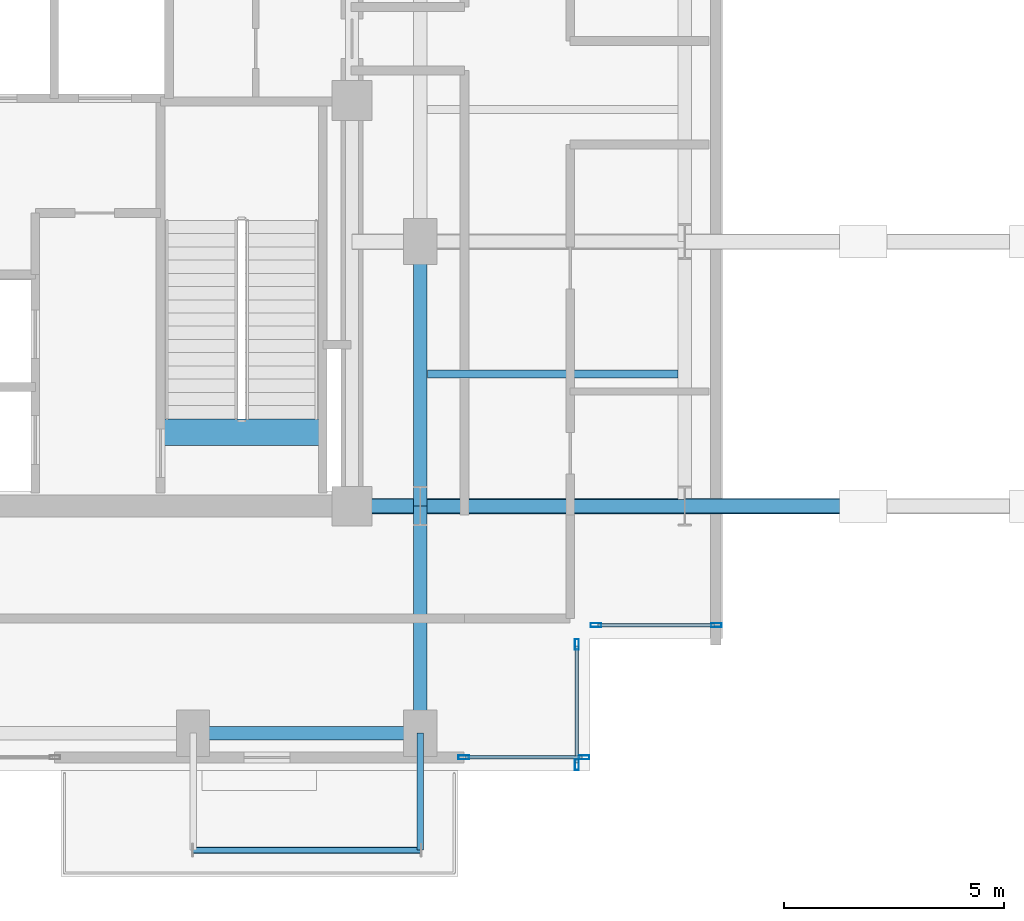
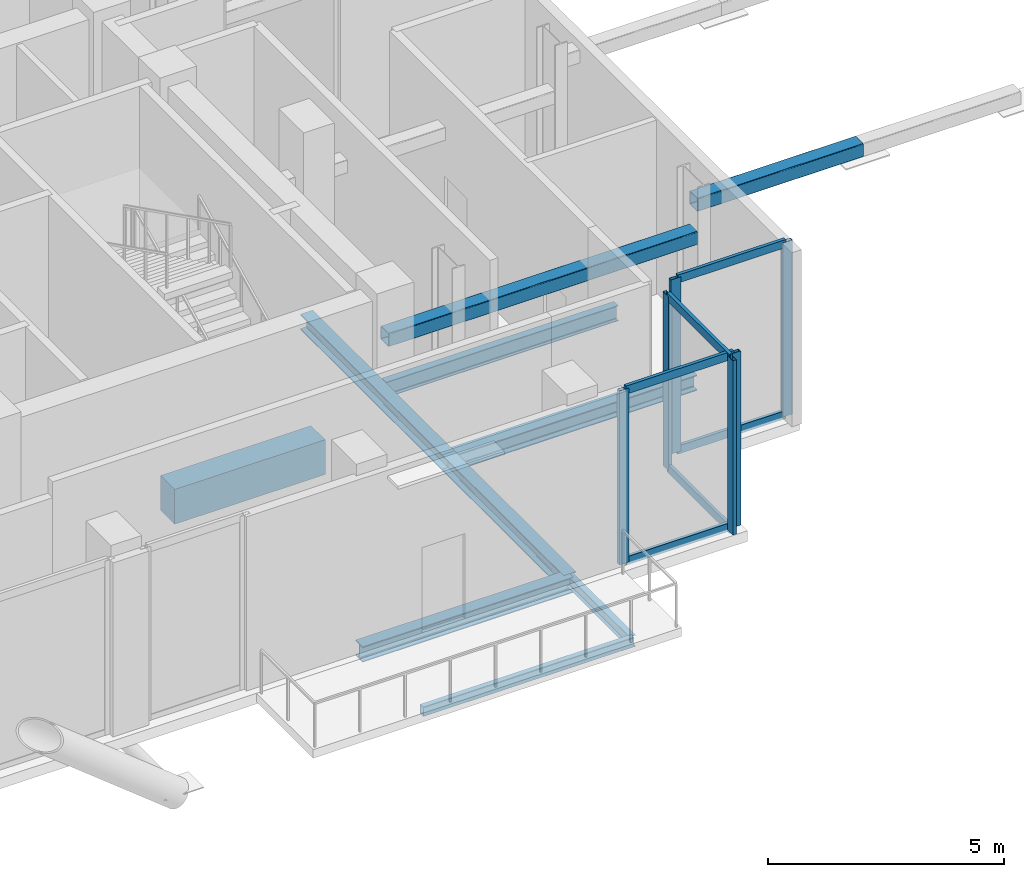
# One storey, part 8 of 22: 14 members, 8 beams, 3 elements without a shape of their own.
"""IFC4 building model written with IfcOpenShell, lengths in metres."""

from ifc_helpers import new_model, si_unit, direction, frame, origin, origin_2d, place, context, subcontext, project, spatial, rectangle, hollow_rectangle, i_section, extrude, material, layer, layer_set, material_profile, profile_set, type_object, element, aggregate, save


model = new_model("IFC4")

# Units and contexts
model_context = context("Model", 3, precision=1e-05, world=origin(), true_north=direction((0.0, 1.0)))
body_context = subcontext(model_context, "Body", "Model", "MODEL_VIEW")
ifc_project = project(units=[si_unit("LENGTHUNIT", "METRE"), si_unit("AREAUNIT", "SQUARE_METRE"), si_unit("VOLUMEUNIT", "CUBIC_METRE"), si_unit("PLANEANGLEUNIT", "RADIAN"), si_unit("MASSUNIT", "GRAM", prefix="KILO"), si_unit("THERMODYNAMICTEMPERATUREUNIT", "KELVIN"), si_unit("POWERUNIT", "WATT")], contexts=[model_context])

# Site, building, storey
site_placement = place(None, origin())
site = spatial("IfcSite", under=ifc_project, at=site_placement, CompositionType="ELEMENT")
building_placement = place(site_placement, origin())
building = spatial("IfcBuilding", under=site, at=building_placement, Name="Svarakhadi Broadcast Tower", CompositionType="ELEMENT")
storey_placement = place(building_placement, frame((0.0, 0.0, 199.199951171875)))
storey = spatial("IfcBuildingStorey", under=building, at=storey_placement, Name="L49", CompositionType="ELEMENT", Elevation=199.199951171875)

# Beam
ifc_material_1 = material(Name="Steel S355J2 (IS 2062 E350C)", Category="steel")
ifc_material_profile_1 = material_profile(ifc_material_1, i_section(OverallWidth=0.179931640625, OverallDepth=0.39990234375, WebThickness=0.008544921875, FlangeThickness=0.013427734375, FilletRadius=0.02099609375, at=origin_2d()), Name="NPB 400x180x66")
ifc_profile_set_1 = profile_set([ifc_material_profile_1], Name="Steel S355J2 (IS 2062 E350C)")
beam_type_1 = type_object("IfcBeamType", Name="Beam_NPB400", PredefinedType="BEAM", material=ifc_profile_set_1)
beam_1_placement = place(storey_placement, frame((35.31005859375, 9.0, -0.474853515625), z_axis=(1.0, 0.0, 0.0), x_axis=(0.0, 1.0, 0.0)))
element("IfcBeam", 1, at=beam_1_placement, inside=storey, type_object=beam_type_1, Name="L49 Secondary Composite Beam SB016", PredefinedType="BEAM", context=body_context, shape_type="SweptSolid", body=[
    extrude(i_section(OverallWidth=0.179931640625, OverallDepth=0.39990234375, WebThickness=0.008544921875, FlangeThickness=0.013427734375, FilletRadius=0.02099609375, at=origin_2d()), origin(), (0.0, 0.0, 1.0), 5.679931640625),
])

# Curtain wall, members
ifc_material_2 = material(Name="Anodised Bronze Aluminium AA 6063-T6", Category="aluminium")
ifc_layer = layer(ifc_material_2, 0.239990234375)
ifc_layer_set = layer_set([ifc_layer], Name="Anodised Bronze Aluminium AA 6063-T6")
curtain_wall_type = type_object("IfcCurtainWallType", Name="CW_Sys_06", PredefinedType="NOTDEFINED", material=ifc_layer_set)
curtain_wall_1_placement = place(storey_placement, origin())
curtain_wall_1 = element("IfcCurtainWall", 2, at=curtain_wall_1_placement, inside=storey, type_object=curtain_wall_type, Name="L49 Unitised Facade Curtain Wall 13", PredefinedType="NOTDEFINED")
ifc_material_profile_2 = material_profile(ifc_material_2, hollow_rectangle(XDim=0.090087890625, YDim=0.239990234375, WallThickness=0.006103515625, at=origin_2d()), Name="ALU MULLION 240x90x6")
ifc_profile_set_2 = profile_set([ifc_material_profile_2], Name="Anodised Bronze Aluminium AA 6063-T6")
member_type_1 = type_object("IfcMemberType", Name="CW_Sys_06_Mul", PredefinedType="MULLION", material=ifc_profile_set_2)
member_1_placement = place(storey_placement, frame((41.864990234375, 3.300048828125, 0.0), z_axis=(0.0, 0.0, 1.0), x_axis=(0.0, -1.0, 0.0)))
member_1 = element("IfcMember", 3, at=member_1_placement, type_object=member_type_1, Name="CW-06 mullion 1", PredefinedType="MULLION", context=body_context, shape_type="SweptSolid", body=[
    extrude(hollow_rectangle(XDim=0.090087890625, YDim=0.239990234375, WallThickness=0.006103515625, at=origin_2d()), origin(), (0.0, 0.0, 1.0), 4.5),
])
member_2_placement = place(storey_placement, frame((39.135009765625, 3.300048828125, 0.0), z_axis=(0.0, 0.0, 1.0), x_axis=(0.0, -1.0, 0.0)))
member_2 = element("IfcMember", 4, at=member_2_placement, type_object=member_type_1, Name="CW-06 mullion 2", PredefinedType="MULLION", context=body_context, shape_type="SweptSolid", body=[
    extrude(hollow_rectangle(XDim=0.090087890625, YDim=0.239990234375, WallThickness=0.006103515625, at=origin_2d()), origin(), (0.0, 0.0, 1.0), 4.5),
])

curtain_wall_2_placement = place(storey_placement, origin())
curtain_wall_2 = element("IfcCurtainWall", 5, at=curtain_wall_2_placement, inside=storey, type_object=curtain_wall_type, Name="L49 Unitised Facade Curtain Wall 14", PredefinedType="NOTDEFINED")
member_3_placement = place(storey_placement, frame((38.699951171875, 2.864990234375, 0.0), z_axis=(0.0, 0.0, 1.0), x_axis=(1.0, 0.0, 0.0)))
member_3 = element("IfcMember", 6, at=member_3_placement, type_object=member_type_1, Name="CW-06 mullion 1", PredefinedType="MULLION", context=body_context, shape_type="SweptSolid", body=[
    extrude(hollow_rectangle(XDim=0.090087890625, YDim=0.239990234375, WallThickness=0.006103515625, at=origin_2d()), origin(), (0.0, 0.0, 1.0), 4.5),
])
member_4_placement = place(storey_placement, frame((38.699951171875, 0.135009765625, 0.0), z_axis=(0.0, 0.0, 1.0), x_axis=(1.0, 0.0, 0.0)))
member_4 = element("IfcMember", 7, at=member_4_placement, type_object=member_type_1, Name="CW-06 mullion 2", PredefinedType="MULLION", context=body_context, shape_type="SweptSolid", body=[
    extrude(hollow_rectangle(XDim=0.090087890625, YDim=0.239990234375, WallThickness=0.006103515625, at=origin_2d()), origin(), (0.0, 0.0, 1.0), 4.5),
])

curtain_wall_3_placement = place(storey_placement, origin())
curtain_wall_3 = element("IfcCurtainWall", 8, at=curtain_wall_3_placement, inside=storey, type_object=curtain_wall_type, Name="L49 South Curtain Wall 15", PredefinedType="NOTDEFINED")
member_5_placement = place(storey_placement, frame((38.864990234375, 0.300048828125, 0.0), z_axis=(0.0, 0.0, 1.0), x_axis=(0.0, -1.0, 0.0)))
member_5 = element("IfcMember", 9, at=member_5_placement, type_object=member_type_1, Name="CW-06 mullion 1", PredefinedType="MULLION", context=body_context, shape_type="SweptSolid", body=[
    extrude(hollow_rectangle(XDim=0.090087890625, YDim=0.239990234375, WallThickness=0.006103515625, at=origin_2d()), origin(), (0.0, 0.0, 1.0), 4.5),
])
member_6_placement = place(storey_placement, frame((36.135009765625, 0.300048828125, 0.0), z_axis=(0.0, 0.0, 1.0), x_axis=(0.0, -1.0, 0.0)))
member_6 = element("IfcMember", 10, at=member_6_placement, type_object=member_type_1, Name="CW-06 mullion 2", PredefinedType="MULLION", context=body_context, shape_type="SweptSolid", body=[
    extrude(hollow_rectangle(XDim=0.090087890625, YDim=0.239990234375, WallThickness=0.006103515625, at=origin_2d()), origin(), (0.0, 0.0, 1.0), 4.5),
])

# Member
ifc_material_profile_3 = material_profile(ifc_material_2, hollow_rectangle(XDim=0.080078125, YDim=0.2099609375, WallThickness=0.0048828125, at=origin_2d()), Name="ALU TRANSOM 210x80x5")
ifc_profile_set_3 = profile_set([ifc_material_profile_3], Name="Anodised Bronze Aluminium AA 6063-T6")
member_type_2 = type_object("IfcMemberType", Name="CW_Sys_06_Trn", PredefinedType="USERDEFINED", material=ifc_profile_set_3)
member_7_placement = place(storey_placement, frame((41.820068359375, 3.300048828125, 0.0400390625), z_axis=(-1.0, 0.0, 0.0), x_axis=(0.0, -1.0, 0.0)))
member_7 = element("IfcMember", 11, at=member_7_placement, type_object=member_type_2, Name="CW-06 transom 1.1", ObjectType="TRANSOM", PredefinedType="USERDEFINED", context=body_context, shape_type="SweptSolid", body=[
    extrude(hollow_rectangle(XDim=0.080078125, YDim=0.2099609375, WallThickness=0.0048828125, at=origin_2d()), origin(), (0.0, 0.0, 1.0), 2.64013671875),
])

member_8_placement = place(storey_placement, frame((41.820068359375, 3.300048828125, 4.4599609375), z_axis=(-1.0, 0.0, 0.0), x_axis=(0.0, -1.0, 0.0)))
member_8 = element("IfcMember", 12, at=member_8_placement, type_object=member_type_2, Name="CW-06 transom 1.2", ObjectType="TRANSOM", PredefinedType="USERDEFINED", context=body_context, shape_type="SweptSolid", body=[
    extrude(hollow_rectangle(XDim=0.080078125, YDim=0.2099609375, WallThickness=0.0048828125, at=origin_2d()), origin(), (0.0, 0.0, 1.0), 2.64013671875),
])

aggregate(curtain_wall_1, [member_1, member_2, member_7, member_8])

member_9_placement = place(storey_placement, frame((38.699951171875, 2.820068359375, 0.0400390625), z_axis=(0.0, -1.0, 0.0), x_axis=(1.0, 0.0, 0.0)))
member_9 = element("IfcMember", 13, at=member_9_placement, type_object=member_type_2, Name="CW-06 transom 1.1", ObjectType="TRANSOM", PredefinedType="USERDEFINED", context=body_context, shape_type="SweptSolid", body=[
    extrude(hollow_rectangle(XDim=0.080078125, YDim=0.2099609375, WallThickness=0.0048828125, at=origin_2d()), origin(), (0.0, 0.0, 1.0), 2.64013671875),
])

member_10_placement = place(storey_placement, frame((38.699951171875, 2.820068359375, 4.4599609375), z_axis=(0.0, -1.0, 0.0), x_axis=(1.0, 0.0, 0.0)))
member_10 = element("IfcMember", 14, at=member_10_placement, type_object=member_type_2, Name="CW-06 transom 1.2", ObjectType="TRANSOM", PredefinedType="USERDEFINED", context=body_context, shape_type="SweptSolid", body=[
    extrude(hollow_rectangle(XDim=0.080078125, YDim=0.2099609375, WallThickness=0.0048828125, at=origin_2d()), origin(), (0.0, 0.0, 1.0), 2.64013671875),
])

aggregate(curtain_wall_2, [member_3, member_4, member_9, member_10])

member_11_placement = place(storey_placement, frame((38.820068359375, 0.300048828125, 0.0400390625), z_axis=(-1.0, 0.0, 0.0), x_axis=(0.0, -1.0, 0.0)))
member_11 = element("IfcMember", 15, at=member_11_placement, type_object=member_type_2, Name="CW-06 transom 1.1", ObjectType="TRANSOM", PredefinedType="USERDEFINED", context=body_context, shape_type="SweptSolid", body=[
    extrude(hollow_rectangle(XDim=0.080078125, YDim=0.2099609375, WallThickness=0.0048828125, at=origin_2d()), origin(), (0.0, 0.0, 1.0), 2.64013671875),
])

member_12_placement = place(storey_placement, frame((38.820068359375, 0.300048828125, 4.4599609375), z_axis=(-1.0, 0.0, 0.0), x_axis=(0.0, -1.0, 0.0)))
member_12 = element("IfcMember", 16, at=member_12_placement, type_object=member_type_2, Name="CW-06 transom 1.2", ObjectType="TRANSOM", PredefinedType="USERDEFINED", context=body_context, shape_type="SweptSolid", body=[
    extrude(hollow_rectangle(XDim=0.080078125, YDim=0.2099609375, WallThickness=0.0048828125, at=origin_2d()), origin(), (0.0, 0.0, 1.0), 2.64013671875),
])

aggregate(curtain_wall_3, [member_5, member_6, member_11, member_12])

# Beams
ifc_material_3 = material(Name="Concrete C50/60 (IS 456 M60)", Category="concrete")
ifc_material_profile_4 = material_profile(ifc_material_3, rectangle(XDim=0.60009765625, YDim=0.89990234375, at=origin_2d()), Name="RC 600x900")
ifc_profile_set_4 = profile_set([ifc_material_profile_4], Name="Concrete C50/60 (IS 456 M60)")
beam_type_2 = type_object("IfcBeamType", Name="Coupling_RC600", PredefinedType="USERDEFINED", material=ifc_profile_set_4)
beam_2_placement = place(storey_placement, frame((29.260009765625, 7.679931640625, -0.449951171875), z_axis=(1.0, 0.0, 0.0), x_axis=(0.0, 1.0, 0.0)))
element("IfcBeam", 17, at=beam_2_placement, inside=storey, type_object=beam_type_2, Name="L49 Stair ST-02 Landing Throat Trimmer Beam CB-01", ObjectType="GIRDER", PredefinedType="USERDEFINED", context=body_context, shape_type="SweptSolid", body=[
    extrude(rectangle(XDim=0.60009765625, YDim=0.89990234375, at=origin_2d()), origin(), (0.0, 0.0, 1.0), 3.679931640625),
])
ifc_material_profile_5 = material_profile(ifc_material_1, i_section(OverallWidth=0.300048828125, OverallDepth=0.39990234375, WebThickness=0.013427734375, FlangeThickness=0.02392578125, FilletRadius=0.027099609375, at=origin_2d()), Name="WPB 400x300x155")
ifc_profile_set_5 = profile_set([ifc_material_profile_5], Name="Steel S355J2 (IS 2062 E350C)")
beam_type_3 = type_object("IfcBeamType", Name="Girder_WPB400", PredefinedType="USERDEFINED", material=ifc_profile_set_5)
beam_3_placement = place(storey_placement, frame((30.0, 0.85009765625, -0.474853515625), z_axis=(1.0, 0.0, 0.0), x_axis=(0.0, 1.0, 0.0)))
element("IfcBeam", 18, at=beam_3_placement, inside=storey, type_object=beam_type_3, Name="L49 Primary E-W Girder G008", ObjectType="GIRDER", PredefinedType="USERDEFINED", context=body_context, shape_type="SweptSolid", body=[
    extrude(i_section(OverallWidth=0.300048828125, OverallDepth=0.39990234375, WebThickness=0.013427734375, FlangeThickness=0.02392578125, FilletRadius=0.027099609375, at=origin_2d()), origin(), (0.0, 0.0, 1.0), 5.14990234375),
])
beam_4_placement = place(storey_placement, frame((35.14990234375, 6.0, -0.474853515625), z_axis=(1.0, 0.0, 0.0), x_axis=(0.0, 1.0, 0.0)))
element("IfcBeam", 19, at=beam_4_placement, inside=storey, type_object=beam_type_3, Name="L49 Primary E-W Girder G014", ObjectType="GIRDER", PredefinedType="USERDEFINED", context=body_context, shape_type="SweptSolid", body=[
    extrude(i_section(OverallWidth=0.300048828125, OverallDepth=0.39990234375, WebThickness=0.013427734375, FlangeThickness=0.02392578125, FilletRadius=0.027099609375, at=origin_2d()), origin(), (0.0, 0.0, 1.0), 6.0),
])
beam_5_placement = place(storey_placement, frame((35.14990234375, 0.85009765625, -0.474853515625), z_axis=(0.0, 1.0, 0.0), x_axis=(-1.0, 0.0, 0.0)))
element("IfcBeam", 20, at=beam_5_placement, inside=storey, type_object=beam_type_3, Name="L49 Primary N-S Girder G056", ObjectType="GIRDER", PredefinedType="USERDEFINED", context=body_context, shape_type="SweptSolid", body=[
    extrude(i_section(OverallWidth=0.300048828125, OverallDepth=0.39990234375, WebThickness=0.013427734375, FlangeThickness=0.02392578125, FilletRadius=0.027099609375, at=origin_2d()), origin(), (0.0, 0.0, 1.0), 5.14990234375),
])
beam_6_placement = place(storey_placement, frame((35.14990234375, 6.0, -0.474853515625), z_axis=(0.0, 1.0, 0.0), x_axis=(-1.0, 0.0, 0.0)))
element("IfcBeam", 21, at=beam_6_placement, inside=storey, type_object=beam_type_3, Name="L49 Primary N-S Girder G057", ObjectType="GIRDER", PredefinedType="USERDEFINED", context=body_context, shape_type="SweptSolid", body=[
    extrude(i_section(OverallWidth=0.300048828125, OverallDepth=0.39990234375, WebThickness=0.013427734375, FlangeThickness=0.02392578125, FilletRadius=0.027099609375, at=origin_2d()), origin(), (0.0, 0.0, 1.0), 6.0),
])

# Members
ifc_material_4 = material(Name="Steel S460ML (IS 2062 E450BR)", Category="steel")
ifc_material_profile_6 = material_profile(ifc_material_4, hollow_rectangle(XDim=0.35009765625, YDim=0.35009765625, WallThickness=0.01611328125, InnerFilletRadius=0.01611328125, OuterFilletRadius=0.031982421875, at=origin_2d()), Name="SHS 350x350x16")
ifc_profile_set_6 = profile_set([ifc_material_profile_6], Name="Steel S460ML (IS 2062 E450BR)")
member_type_3 = type_object("IfcMemberType", Name="Pool_Truss_Chord", PredefinedType="CHORD", material=ifc_profile_set_6)
member_13_placement = place(storey_placement, frame((33.60009765625, 6.0, 3.275146484375), z_axis=(1.0, 0.0, 0.0), x_axis=(0.0, 1.0, 0.0)))
element("IfcMember", 22, at=member_13_placement, inside=storey, type_object=member_type_3, Name="L50 Sky Pool Cantilever Truss Chord PT-BCK2-1", PredefinedType="CHORD", context=body_context, shape_type="SweptSolid", body=[
    extrude(hollow_rectangle(XDim=0.35009765625, YDim=0.35009765625, WallThickness=0.01611328125, InnerFilletRadius=0.01611328125, OuterFilletRadius=0.031982421875, at=origin_2d()), origin(), (0.0, 0.0, 1.0), 7.5498046875),
])
member_14_placement = place(storey_placement, frame((41.14990234375, 6.0, 4.125), z_axis=(1.0, 0.0, 0.0), x_axis=(0.0, 1.0, 0.0)))
element("IfcMember", 23, at=member_14_placement, inside=storey, type_object=member_type_3, Name="L50 Sky Pool Cantilever Truss Chord PT-CNT1-1", PredefinedType="CHORD", context=body_context, shape_type="SweptSolid", body=[
    extrude(hollow_rectangle(XDim=0.35009765625, YDim=0.35009765625, WallThickness=0.01611328125, InnerFilletRadius=0.01611328125, OuterFilletRadius=0.031982421875, at=origin_2d()), origin(), (0.0, 0.0, 1.0), 4.050048828125),
])

# Beams
ifc_material_profile_7 = material_profile(ifc_material_1, i_section(OverallWidth=0.14990234375, OverallDepth=0.300048828125, WebThickness=0.007080078125, FlangeThickness=0.0107421875, FilletRadius=0.014892578125, at=origin_2d()), Name="NPB 300x150x37")
ifc_profile_set_7 = profile_set([ifc_material_profile_7], Name="Steel S355J2 (IS 2062 E350C)")
beam_type_4 = type_object("IfcBeamType", Name="Spandrel_NPB300", PredefinedType="SPANDREL", material=ifc_profile_set_7)
beam_7_placement = place(storey_placement, frame((35.14990234375, 0.85009765625, -0.425048828125), z_axis=(0.0, -1.0, 0.0), x_axis=(1.0, 0.0, 0.0)))
element("IfcBeam", 24, at=beam_7_placement, inside=storey, type_object=beam_type_4, Name="L49 Balcony Cantilever Bracket 1B", PredefinedType="SPANDREL", context=body_context, shape_type="SweptSolid", body=[
    extrude(i_section(OverallWidth=0.14990234375, OverallDepth=0.300048828125, WebThickness=0.007080078125, FlangeThickness=0.0107421875, FilletRadius=0.014892578125, at=origin_2d()), origin(), (0.0, 0.0, 1.0), 2.650146484375),
])
ifc_material_profile_8 = material_profile(ifc_material_4, hollow_rectangle(XDim=0.14990234375, YDim=0.25, WallThickness=0.010009765625, InnerFilletRadius=0.010009765625, OuterFilletRadius=0.02001953125, at=origin_2d()), Name="RHS 250x150x10")
ifc_profile_set_8 = profile_set([ifc_material_profile_8], Name="Steel S460ML (IS 2062 E450BR)")
beam_type_5 = type_object("IfcBeamType", Name="Spandrel_RHS250", PredefinedType="SPANDREL", material=ifc_profile_set_8)
beam_8_placement = place(storey_placement, frame((30.0, -1.800048828125, -0.39990234375), z_axis=(1.0, 0.0, 0.0), x_axis=(0.0, 1.0, 0.0)))
element("IfcBeam", 25, at=beam_8_placement, inside=storey, type_object=beam_type_5, Name="L49 Balcony Outer Spandrel 1F", PredefinedType="SPANDREL", context=body_context, shape_type="SweptSolid", body=[
    extrude(hollow_rectangle(XDim=0.14990234375, YDim=0.25, WallThickness=0.010009765625, InnerFilletRadius=0.010009765625, OuterFilletRadius=0.02001953125, at=origin_2d()), origin(), (0.0, 0.0, 1.0), 5.14990234375),
])

save(model, "model.ifc")
